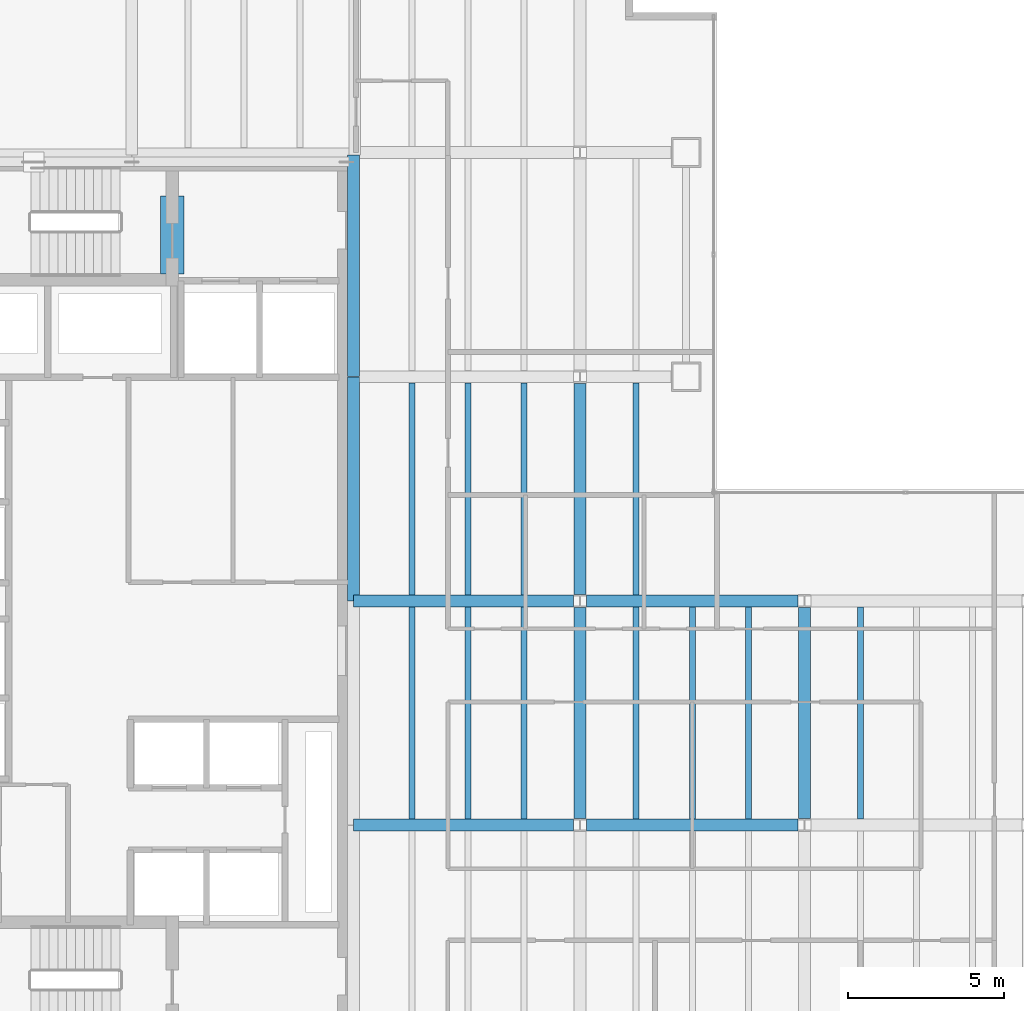
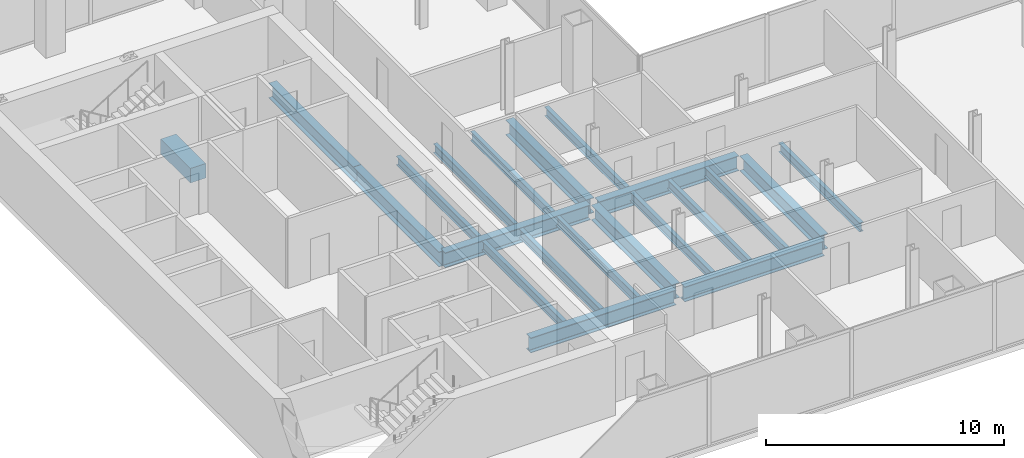
# One storey, part 6 of 23: 21 beams.
"""IFC4 building model written with IfcOpenShell, lengths in metres."""

from ifc_helpers import new_model, si_unit, direction, frame, origin, origin_2d, place, context, subcontext, project, spatial, rectangle, i_section, extrude, material, material_profile, profile_set, type_object, element, save


model = new_model("IFC4")

# Units and contexts
model_context = context("Model", 3, precision=1e-05, world=origin(), true_north=direction((0.0, 1.0)))
body_context = subcontext(model_context, "Body", "Model", "MODEL_VIEW")
ifc_project = project(units=[si_unit("LENGTHUNIT", "METRE"), si_unit("AREAUNIT", "SQUARE_METRE"), si_unit("VOLUMEUNIT", "CUBIC_METRE"), si_unit("PLANEANGLEUNIT", "RADIAN"), si_unit("MASSUNIT", "GRAM", prefix="KILO")], contexts=[model_context])

# Site, building, storey
site_placement = place(None, origin())
site = spatial("IfcSite", under=ifc_project, at=site_placement, CompositionType="ELEMENT")
building_placement = place(site_placement, origin())
building = spatial("IfcBuilding", under=site, at=building_placement, Name="Cobrela Telecom Tower", CompositionType="ELEMENT")
storey_placement = place(building_placement, frame((0.0, 0.0, 109.89990234375)))
storey = spatial("IfcBuildingStorey", under=building, at=storey_placement, Name="L27", CompositionType="ELEMENT", Elevation=109.89990234375)

# Beams
ifc_material_1 = material(Name="Concrete C40/50", Category="concrete")
ifc_material_profile_1 = material_profile(ifc_material_1, rectangle(XDim=0.75, YDim=0.75, at=origin_2d()), Name="RC 750x750")
ifc_profile_set_1 = profile_set([ifc_material_profile_1], Name="Concrete C40/50")
beam_type_1 = type_object("IfcBeamType", Name="BM-COUP-RC", PredefinedType="LINTEL", material=ifc_profile_set_1)
beam_1_placement = place(storey_placement, frame((8.5, 32.10009765625, -0.619873046875), z_axis=(0.0, 1.0, 0.0), x_axis=(-1.0, 0.0, 0.0)))
element("IfcBeam", 1, at=beam_1_placement, inside=storey, type_object=beam_type_1, Name="L27 Core Coupling Lintel Beam", PredefinedType="LINTEL", context=body_context, shape_type="SweptSolid", body=[
    extrude(rectangle(XDim=0.75, YDim=0.75, at=origin_2d()), origin(), (0.0, 0.0, 1.0), 2.5),
])
ifc_material_2 = material(Name="Steel ASTM A992 Grade 50", Category="steel")
ifc_material_profile_2 = material_profile(ifc_material_2, i_section(OverallWidth=0.381103515625, OverallDepth=0.77197265625, WebThickness=0.0166015625, FlangeThickness=0.027099609375, FilletRadius=0.01904296875, at=origin_2d()), Name="W30X173")
ifc_profile_set_2 = profile_set([ifc_material_profile_2], Name="Steel ASTM A992 Grade 50")
beam_type_2 = type_object("IfcBeamType", Name="BM-GIRD-04", PredefinedType="USERDEFINED", material=ifc_profile_set_2)
beam_2_placement = place(storey_placement, frame((14.324951171875, 14.39990234375, -0.656005859375), z_axis=(1.0, 0.0, 0.0), x_axis=(0.0, 1.0, 0.0)))
element("IfcBeam", 2, at=beam_2_placement, inside=storey, type_object=beam_type_2, Name="L27 Primary Girder X13", ObjectType="GIRDER", PredefinedType="USERDEFINED", context=body_context, shape_type="SweptSolid", body=[
    extrude(i_section(OverallWidth=0.381103515625, OverallDepth=0.77197265625, WebThickness=0.0166015625, FlangeThickness=0.027099609375, FilletRadius=0.01904296875, at=origin_2d()), origin(), (0.0, 0.0, 1.0), 7.0654296875),
])
beam_3_placement = place(storey_placement, frame((21.8095703125, 14.39990234375, -0.656005859375), z_axis=(1.0, 0.0, 0.0), x_axis=(0.0, 1.0, 0.0)))
element("IfcBeam", 3, at=beam_3_placement, inside=storey, type_object=beam_type_2, Name="L27 Primary Girder X14", ObjectType="GIRDER", PredefinedType="USERDEFINED", context=body_context, shape_type="SweptSolid", body=[
    extrude(i_section(OverallWidth=0.381103515625, OverallDepth=0.77197265625, WebThickness=0.0166015625, FlangeThickness=0.027099609375, FilletRadius=0.01904296875, at=origin_2d()), origin(), (0.0, 0.0, 1.0), 6.781005859375),
])
beam_4_placement = place(storey_placement, frame((14.324951171875, 21.60009765625, -0.656005859375), z_axis=(1.0, 0.0, 0.0), x_axis=(0.0, 1.0, 0.0)))
element("IfcBeam", 4, at=beam_4_placement, inside=storey, type_object=beam_type_2, Name="L27 Primary Girder X18", ObjectType="GIRDER", PredefinedType="USERDEFINED", context=body_context, shape_type="SweptSolid", body=[
    extrude(i_section(OverallWidth=0.381103515625, OverallDepth=0.77197265625, WebThickness=0.0166015625, FlangeThickness=0.027099609375, FilletRadius=0.01904296875, at=origin_2d()), origin(), (0.0, 0.0, 1.0), 7.0654296875),
])
beam_5_placement = place(storey_placement, frame((21.8095703125, 21.60009765625, -0.656005859375), z_axis=(1.0, 0.0, 0.0), x_axis=(0.0, 1.0, 0.0)))
element("IfcBeam", 5, at=beam_5_placement, inside=storey, type_object=beam_type_2, Name="L27 Primary Girder X19", ObjectType="GIRDER", PredefinedType="USERDEFINED", context=body_context, shape_type="SweptSolid", body=[
    extrude(i_section(OverallWidth=0.381103515625, OverallDepth=0.77197265625, WebThickness=0.0166015625, FlangeThickness=0.027099609375, FilletRadius=0.01904296875, at=origin_2d()), origin(), (0.0, 0.0, 1.0), 6.781005859375),
])
beam_6_placement = place(storey_placement, frame((14.320068359375, 21.60498046875, -0.656005859375), z_axis=(0.0, 1.0, 0.0), x_axis=(-1.0, 0.0, 0.0)))
element("IfcBeam", 6, at=beam_6_placement, inside=storey, type_object=beam_type_2, Name="L27 Primary Girder Y36", ObjectType="GIRDER", PredefinedType="USERDEFINED", context=body_context, shape_type="SweptSolid", body=[
    extrude(i_section(OverallWidth=0.381103515625, OverallDepth=0.77197265625, WebThickness=0.0166015625, FlangeThickness=0.027099609375, FilletRadius=0.01904296875, at=origin_2d()), origin(), (0.0, 0.0, 1.0), 7.18994140625),
])
beam_7_placement = place(storey_placement, frame((14.320068359375, 28.804931640625, -0.656005859375), z_axis=(0.0, 1.0, 0.0), x_axis=(-1.0, 0.0, 0.0)))
element("IfcBeam", 7, at=beam_7_placement, inside=storey, type_object=beam_type_2, Name="L27 Primary Girder Y37", ObjectType="GIRDER", PredefinedType="USERDEFINED", context=body_context, shape_type="SweptSolid", body=[
    extrude(i_section(OverallWidth=0.381103515625, OverallDepth=0.77197265625, WebThickness=0.0166015625, FlangeThickness=0.027099609375, FilletRadius=0.01904296875, at=origin_2d()), origin(), (0.0, 0.0, 1.0), 7.110107421875),
])
beam_8_placement = place(storey_placement, frame((21.60009765625, 14.609619140625, -0.656005859375), z_axis=(0.0, 1.0, 0.0), x_axis=(-1.0, 0.0, 0.0)))
element("IfcBeam", 8, at=beam_8_placement, inside=storey, type_object=beam_type_2, Name="L27 Primary Girder Y41", ObjectType="GIRDER", PredefinedType="USERDEFINED", context=body_context, shape_type="SweptSolid", body=[
    extrude(i_section(OverallWidth=0.381103515625, OverallDepth=0.77197265625, WebThickness=0.0166015625, FlangeThickness=0.027099609375, FilletRadius=0.01904296875, at=origin_2d()), origin(), (0.0, 0.0, 1.0), 6.78076171875),
])
beam_9_placement = place(storey_placement, frame((21.60009765625, 21.8095703125, -0.656005859375), z_axis=(0.0, 1.0, 0.0), x_axis=(-1.0, 0.0, 0.0)))
element("IfcBeam", 9, at=beam_9_placement, inside=storey, type_object=beam_type_2, Name="L27 Primary Girder Y42", ObjectType="GIRDER", PredefinedType="USERDEFINED", context=body_context, shape_type="SweptSolid", body=[
    extrude(i_section(OverallWidth=0.381103515625, OverallDepth=0.77197265625, WebThickness=0.0166015625, FlangeThickness=0.027099609375, FilletRadius=0.01904296875, at=origin_2d()), origin(), (0.0, 0.0, 1.0), 6.781005859375),
])
beam_10_placement = place(storey_placement, frame((28.800048828125, 14.609619140625, -0.656005859375), z_axis=(0.0, 1.0, 0.0), x_axis=(-1.0, 0.0, 0.0)))
element("IfcBeam", 10, at=beam_10_placement, inside=storey, type_object=beam_type_2, Name="L27 Primary Girder Y48", ObjectType="GIRDER", PredefinedType="USERDEFINED", context=body_context, shape_type="SweptSolid", body=[
    extrude(i_section(OverallWidth=0.381103515625, OverallDepth=0.77197265625, WebThickness=0.0166015625, FlangeThickness=0.027099609375, FilletRadius=0.01904296875, at=origin_2d()), origin(), (0.0, 0.0, 1.0), 6.78076171875),
])
ifc_material_profile_3 = material_profile(ifc_material_2, i_section(OverallWidth=0.193115234375, OverallDepth=0.467041015625, WebThickness=0.011474609375, FlangeThickness=0.01904296875, FilletRadius=0.012939453125, at=origin_2d()), Name="W18X65")
ifc_profile_set_3 = profile_set([ifc_material_profile_3], Name="Steel ASTM A992 Grade 50")
beam_type_3 = type_object("IfcBeamType", Name="BM-JOIST-03", PredefinedType="JOIST", material=ifc_profile_set_3)
for number, where, z_axis, x_axis, name in (
    (11, (16.199951171875, 14.595458984375, -0.50341796875), (0.0, 1.0, 0.0), (-1.0, 0.0, 0.0), "L27 Secondary Composite Floor Beam J05"),
    (12, (16.199951171875, 21.79541015625, -0.50341796875), (0.0, 1.0, 0.0), (-1.0, 0.0, 0.0), "L27 Secondary Composite Floor Beam J06"),
    (13, (18.0, 14.595458984375, -0.50341796875), (0.0, 1.0, 0.0), (-1.0, 0.0, 0.0), "L27 Secondary Composite Floor Beam J10"),
    (14, (18.0, 21.79541015625, -0.50341796875), (0.0, 1.0, 0.0), (-1.0, 0.0, 0.0), "L27 Secondary Composite Floor Beam J11"),
    (15, (19.800048828125, 14.595458984375, -0.50341796875), (0.0, 1.0, 0.0), (-1.0, 0.0, 0.0), "L27 Secondary Composite Floor Beam J15"),
    (16, (19.800048828125, 21.79541015625, -0.50341796875), (0.0, 1.0, 0.0), (-1.0, 0.0, 0.0), "L27 Secondary Composite Floor Beam J16"),
    (17, (23.39990234375, 14.595458984375, -0.50341796875), (0.0, 1.0, 0.0), (-1.0, 0.0, 0.0), "L27 Secondary Composite Floor Beam J20"),
    (18, (23.39990234375, 21.79541015625, -0.50341796875), (0.0, 1.0, 0.0), (-1.0, 0.0, 0.0), "L27 Secondary Composite Floor Beam J21"),
    (19, (25.199951171875, 14.595458984375, -0.50341796875), (0.0, 1.0, 0.0), (-1.0, 0.0, 0.0), "L27 Secondary Composite Floor Beam J24"),
    (20, (27.0, 14.595458984375, -0.50341796875), (0.0, 1.0, 0.0), (-1.0, 0.0, 0.0), "L27 Secondary Composite Floor Beam J26"),
    (21, (30.60009765625, 14.595458984375, -0.50341796875), (0.0, 1.0, 0.0), (-1.0, 0.0, 0.0), "L27 Secondary Composite Floor Beam J28"),
):
    element("IfcBeam", number, at=place(storey_placement, frame(where, z_axis=z_axis, x_axis=x_axis)), inside=storey, type_object=beam_type_3, Name=name, PredefinedType="JOIST", context=body_context, shape_type="SweptSolid", body=[
        extrude(i_section(OverallWidth=0.193115234375, OverallDepth=0.467041015625, WebThickness=0.011474609375, FlangeThickness=0.01904296875, FilletRadius=0.012939453125, at=origin_2d()), origin(), (0.0, 0.0, 1.0), 6.80908203125),
    ])

save(model, "model.ifc")
